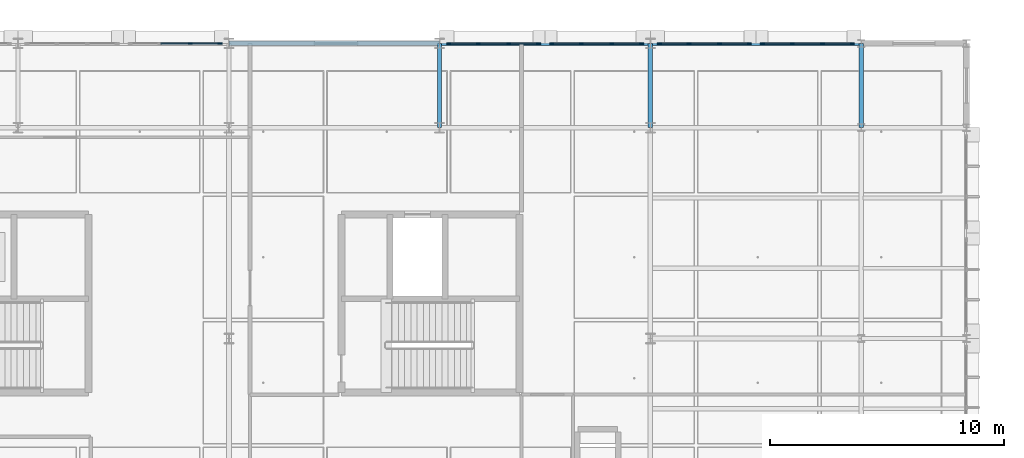
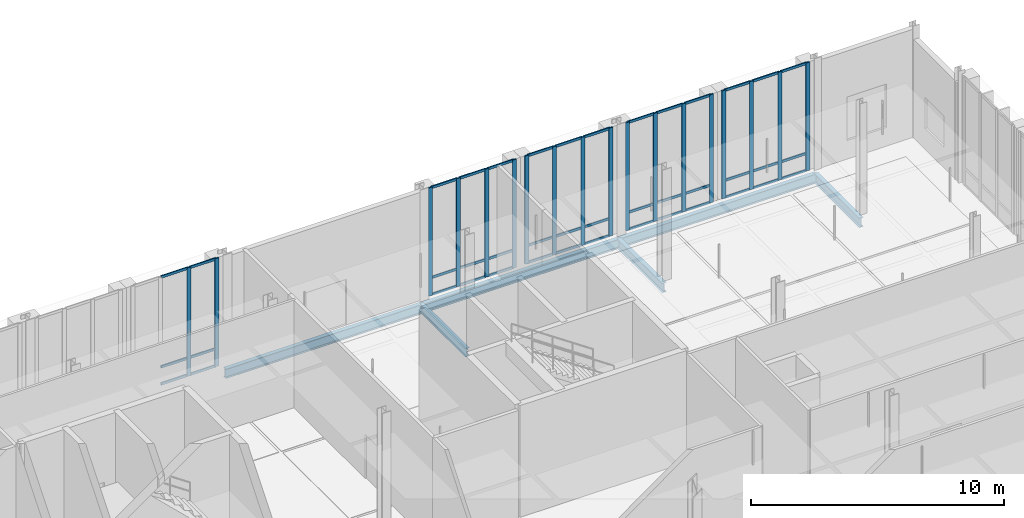
# One storey, part 68 of 180: 60 members, 6 beams, 5 elements without a shape of their own.
"""IFC4 building model written with IfcOpenShell, lengths in metres."""

from ifc_helpers import new_model, si_unit, direction, frame, origin, origin_2d, place, context, subcontext, project, spatial, rectangle, i_section, extrude, material, material_profile, profile_set, type_object, element, aggregate, save


model = new_model("IFC4")

# Units and contexts
model_context = context("Model", 3, precision=1e-05, world=origin(), true_north=direction((0.0, 1.0)))
body_context = subcontext(model_context, "Body", "Model", "MODEL_VIEW")
ifc_project = project(units=[si_unit("LENGTHUNIT", "METRE"), si_unit("AREAUNIT", "SQUARE_METRE"), si_unit("VOLUMEUNIT", "CUBIC_METRE"), si_unit("PLANEANGLEUNIT", "RADIAN"), si_unit("MASSUNIT", "GRAM", prefix="KILO"), si_unit("THERMODYNAMICTEMPERATUREUNIT", "KELVIN"), si_unit("POWERUNIT", "WATT")], contexts=[model_context])

# Site, building, storey
site_placement = place(None, origin())
site = spatial("IfcSite", under=ifc_project, at=site_placement, CompositionType="ELEMENT")
building_placement = place(site_placement, origin())
building = spatial("IfcBuilding", under=site, at=building_placement, Name="Tallowbark Science Centre", CompositionType="ELEMENT")
storey_placement = place(building_placement, origin())
storey = spatial("IfcBuildingStorey", under=building, at=storey_placement, Name="L00", CompositionType="ELEMENT", Elevation=0.0)

# Beam
ifc_material_1 = material(Name="Structural Steel Grade 300PLUS (300 MPa)", Category="steel")
ifc_material_profile_1 = material_profile(ifc_material_1, i_section(OverallWidth=0.177734375, OverallDepth=0.406494140625, WebThickness=0.0078125, FlangeThickness=0.0126953125, FilletRadius=0.011474609375, at=origin_2d()), Name="410UB59.7")
ifc_profile_set_1 = profile_set([ifc_material_profile_1], Name="Structural Steel Grade 300PLUS (300 MPa)")
beam_type_1 = type_object("IfcBeamType", Name="BM-UB410", PredefinedType="BEAM", material=ifc_profile_set_1)
beam_placement = place(storey_placement, frame((139.5, 108.0, -0.443115234375), z_axis=(0.0, 1.0, 0.0), x_axis=(-1.0, 0.0, 0.0)))
element("IfcBeam", 1, at=beam_placement, inside=storey, type_object=beam_type_1, Name="Primary Girder GRDY-L00-1395-1080-1116", PredefinedType="BEAM", context=body_context, shape_type="SweptSolid", body=[
    extrude(i_section(OverallWidth=0.177734375, OverallDepth=0.406494140625, WebThickness=0.0078125, FlangeThickness=0.0126953125, FilletRadius=0.011474609375, at=origin_2d()), origin(), (0.0, 0.0, 1.0), 3.60009765625),
])

# Curtain wall, members
ifc_material_2 = material(Name="Unitised Thermally Broken Aluminium and Low-E Double Glazing", Category="aluminium")
curtain_wall_type = type_object("IfcCurtainWallType", Name="CW-SYS-FACADE", PredefinedType="NOTDEFINED", material=ifc_material_2)
curtain_wall_1_placement = place(storey_placement, origin())
curtain_wall_1 = element("IfcCurtainWall", 2, at=curtain_wall_1_placement, inside=storey, type_object=curtain_wall_type, Name="Unitised Curtain Wall OBS-N-121A CW-L00-094", PredefinedType="NOTDEFINED")
ifc_material_3 = material(Name="Anodised Architectural Aluminium Alloy 6063-T6", Category="aluminium")
ifc_material_profile_2 = material_profile(ifc_material_3, rectangle(XDim=0.06494140625, YDim=0.179931640625, at=origin_2d()), Name="ALU65x180")
ifc_profile_set_2 = profile_set([ifc_material_profile_2], Name="Anodised Architectural Aluminium Alloy 6063-T6")
member_type_1 = type_object("IfcMemberType", Name="CWM-MUL-220", PredefinedType="MULLION", material=ifc_profile_set_2)
member_1_placement = place(storey_placement, frame((130.117431640625, 111.60009765625, 0.0), z_axis=(0.0, 0.0, 1.0), x_axis=(0.0, -1.0, 0.0)))
member_1 = element("IfcMember", 3, at=member_1_placement, type_object=member_type_1, Name="CW-01 mullion 1", PredefinedType="MULLION", context=body_context, shape_type="SweptSolid", body=[
    extrude(rectangle(XDim=0.06494140625, YDim=0.179931640625, at=origin_2d()), origin(), (0.0, 0.0, 1.0), 5.219970703125),
])
member_2_placement = place(storey_placement, frame((128.85009765625, 111.60009765625, 0.0), z_axis=(0.0, 0.0, 1.0), x_axis=(0.0, -1.0, 0.0)))
member_2 = element("IfcMember", 4, at=member_2_placement, type_object=member_type_1, Name="CW-01 mullion 2", PredefinedType="MULLION", context=body_context, shape_type="SweptSolid", body=[
    extrude(rectangle(XDim=0.06494140625, YDim=0.179931640625, at=origin_2d()), origin(), (0.0, 0.0, 1.0), 5.219970703125),
])

curtain_wall_2_placement = place(storey_placement, origin())
curtain_wall_2 = element("IfcCurtainWall", 5, at=curtain_wall_2_placement, inside=storey, type_object=curtain_wall_type, Name="Unitised Curtain Wall OBS-N-139A CW-L00-100", PredefinedType="NOTDEFINED")
member_3_placement = place(storey_placement, frame((148.117431640625, 111.60009765625, 0.0), z_axis=(0.0, 0.0, 1.0), x_axis=(0.0, -1.0, 0.0)))
member_3 = element("IfcMember", 6, at=member_3_placement, type_object=member_type_1, Name="CW-01 mullion 1", PredefinedType="MULLION", context=body_context, shape_type="SweptSolid", body=[
    extrude(rectangle(XDim=0.06494140625, YDim=0.179931640625, at=origin_2d()), origin(), (0.0, 0.0, 1.0), 5.219970703125),
])
member_4_placement = place(storey_placement, frame((146.85009765625, 111.60009765625, 0.0), z_axis=(0.0, 0.0, 1.0), x_axis=(0.0, -1.0, 0.0)))
member_4 = element("IfcMember", 7, at=member_4_placement, type_object=member_type_1, Name="CW-01 mullion 2", PredefinedType="MULLION", context=body_context, shape_type="SweptSolid", body=[
    extrude(rectangle(XDim=0.06494140625, YDim=0.179931640625, at=origin_2d()), origin(), (0.0, 0.0, 1.0), 5.219970703125),
])
member_5_placement = place(storey_placement, frame((145.550048828125, 111.60009765625, 0.0), z_axis=(0.0, 0.0, 1.0), x_axis=(0.0, -1.0, 0.0)))
member_5 = element("IfcMember", 8, at=member_5_placement, type_object=member_type_1, Name="CW-01 mullion 3", PredefinedType="MULLION", context=body_context, shape_type="SweptSolid", body=[
    extrude(rectangle(XDim=0.06494140625, YDim=0.179931640625, at=origin_2d()), origin(), (0.0, 0.0, 1.0), 5.219970703125),
])
member_6_placement = place(storey_placement, frame((144.282470703125, 111.60009765625, 0.0), z_axis=(0.0, 0.0, 1.0), x_axis=(0.0, -1.0, 0.0)))
member_6 = element("IfcMember", 9, at=member_6_placement, type_object=member_type_1, Name="CW-01 mullion 4", PredefinedType="MULLION", context=body_context, shape_type="SweptSolid", body=[
    extrude(rectangle(XDim=0.06494140625, YDim=0.179931640625, at=origin_2d()), origin(), (0.0, 0.0, 1.0), 5.219970703125),
])

curtain_wall_3_placement = place(storey_placement, origin())
curtain_wall_3 = element("IfcCurtainWall", 10, at=curtain_wall_3_placement, inside=storey, type_object=curtain_wall_type, Name="Unitised Curtain Wall OBS-N-139B CW-L00-101", PredefinedType="NOTDEFINED")
member_7_placement = place(storey_placement, frame((143.717529296875, 111.60009765625, 0.0), z_axis=(0.0, 0.0, 1.0), x_axis=(0.0, -1.0, 0.0)))
member_7 = element("IfcMember", 11, at=member_7_placement, type_object=member_type_1, Name="CW-01 mullion 1", PredefinedType="MULLION", context=body_context, shape_type="SweptSolid", body=[
    extrude(rectangle(XDim=0.06494140625, YDim=0.179931640625, at=origin_2d()), origin(), (0.0, 0.0, 1.0), 5.219970703125),
])
member_8_placement = place(storey_placement, frame((142.449951171875, 111.60009765625, 0.0), z_axis=(0.0, 0.0, 1.0), x_axis=(0.0, -1.0, 0.0)))
member_8 = element("IfcMember", 12, at=member_8_placement, type_object=member_type_1, Name="CW-01 mullion 2", PredefinedType="MULLION", context=body_context, shape_type="SweptSolid", body=[
    extrude(rectangle(XDim=0.06494140625, YDim=0.179931640625, at=origin_2d()), origin(), (0.0, 0.0, 1.0), 5.219970703125),
])
member_9_placement = place(storey_placement, frame((141.14990234375, 111.60009765625, 0.0), z_axis=(0.0, 0.0, 1.0), x_axis=(0.0, -1.0, 0.0)))
member_9 = element("IfcMember", 13, at=member_9_placement, type_object=member_type_1, Name="CW-01 mullion 3", PredefinedType="MULLION", context=body_context, shape_type="SweptSolid", body=[
    extrude(rectangle(XDim=0.06494140625, YDim=0.179931640625, at=origin_2d()), origin(), (0.0, 0.0, 1.0), 5.219970703125),
])
member_10_placement = place(storey_placement, frame((139.882568359375, 111.60009765625, 0.0), z_axis=(0.0, 0.0, 1.0), x_axis=(0.0, -1.0, 0.0)))
member_10 = element("IfcMember", 14, at=member_10_placement, type_object=member_type_1, Name="CW-01 mullion 4", PredefinedType="MULLION", context=body_context, shape_type="SweptSolid", body=[
    extrude(rectangle(XDim=0.06494140625, YDim=0.179931640625, at=origin_2d()), origin(), (0.0, 0.0, 1.0), 5.219970703125),
])

curtain_wall_4_placement = place(storey_placement, origin())
curtain_wall_4 = element("IfcCurtainWall", 15, at=curtain_wall_4_placement, inside=storey, type_object=curtain_wall_type, Name="Unitised Curtain Wall OBS-N-148A CW-L00-104", PredefinedType="NOTDEFINED")
member_11_placement = place(storey_placement, frame((157.117431640625, 111.60009765625, 0.0), z_axis=(0.0, 0.0, 1.0), x_axis=(0.0, -1.0, 0.0)))
member_11 = element("IfcMember", 16, at=member_11_placement, type_object=member_type_1, Name="CW-01 mullion 1", PredefinedType="MULLION", context=body_context, shape_type="SweptSolid", body=[
    extrude(rectangle(XDim=0.06494140625, YDim=0.179931640625, at=origin_2d()), origin(), (0.0, 0.0, 1.0), 5.219970703125),
])
member_12_placement = place(storey_placement, frame((155.85009765625, 111.60009765625, 0.0), z_axis=(0.0, 0.0, 1.0), x_axis=(0.0, -1.0, 0.0)))
member_12 = element("IfcMember", 17, at=member_12_placement, type_object=member_type_1, Name="CW-01 mullion 2", PredefinedType="MULLION", context=body_context, shape_type="SweptSolid", body=[
    extrude(rectangle(XDim=0.06494140625, YDim=0.179931640625, at=origin_2d()), origin(), (0.0, 0.0, 1.0), 5.219970703125),
])
member_13_placement = place(storey_placement, frame((154.550048828125, 111.60009765625, 0.0), z_axis=(0.0, 0.0, 1.0), x_axis=(0.0, -1.0, 0.0)))
member_13 = element("IfcMember", 18, at=member_13_placement, type_object=member_type_1, Name="CW-01 mullion 3", PredefinedType="MULLION", context=body_context, shape_type="SweptSolid", body=[
    extrude(rectangle(XDim=0.06494140625, YDim=0.179931640625, at=origin_2d()), origin(), (0.0, 0.0, 1.0), 5.219970703125),
])
member_14_placement = place(storey_placement, frame((153.282470703125, 111.60009765625, 0.0), z_axis=(0.0, 0.0, 1.0), x_axis=(0.0, -1.0, 0.0)))
member_14 = element("IfcMember", 19, at=member_14_placement, type_object=member_type_1, Name="CW-01 mullion 4", PredefinedType="MULLION", context=body_context, shape_type="SweptSolid", body=[
    extrude(rectangle(XDim=0.06494140625, YDim=0.179931640625, at=origin_2d()), origin(), (0.0, 0.0, 1.0), 5.219970703125),
])

curtain_wall_5_placement = place(storey_placement, origin())
curtain_wall_5 = element("IfcCurtainWall", 20, at=curtain_wall_5_placement, inside=storey, type_object=curtain_wall_type, Name="Unitised Curtain Wall OBS-N-148B CW-L00-105", PredefinedType="NOTDEFINED")
member_15_placement = place(storey_placement, frame((152.717529296875, 111.60009765625, 0.0), z_axis=(0.0, 0.0, 1.0), x_axis=(0.0, -1.0, 0.0)))
member_15 = element("IfcMember", 21, at=member_15_placement, type_object=member_type_1, Name="CW-01 mullion 1", PredefinedType="MULLION", context=body_context, shape_type="SweptSolid", body=[
    extrude(rectangle(XDim=0.06494140625, YDim=0.179931640625, at=origin_2d()), origin(), (0.0, 0.0, 1.0), 5.219970703125),
])
member_16_placement = place(storey_placement, frame((151.449951171875, 111.60009765625, 0.0), z_axis=(0.0, 0.0, 1.0), x_axis=(0.0, -1.0, 0.0)))
member_16 = element("IfcMember", 22, at=member_16_placement, type_object=member_type_1, Name="CW-01 mullion 2", PredefinedType="MULLION", context=body_context, shape_type="SweptSolid", body=[
    extrude(rectangle(XDim=0.06494140625, YDim=0.179931640625, at=origin_2d()), origin(), (0.0, 0.0, 1.0), 5.219970703125),
])
member_17_placement = place(storey_placement, frame((150.14990234375, 111.60009765625, 0.0), z_axis=(0.0, 0.0, 1.0), x_axis=(0.0, -1.0, 0.0)))
member_17 = element("IfcMember", 23, at=member_17_placement, type_object=member_type_1, Name="CW-01 mullion 3", PredefinedType="MULLION", context=body_context, shape_type="SweptSolid", body=[
    extrude(rectangle(XDim=0.06494140625, YDim=0.179931640625, at=origin_2d()), origin(), (0.0, 0.0, 1.0), 5.219970703125),
])
member_18_placement = place(storey_placement, frame((148.882568359375, 111.60009765625, 0.0), z_axis=(0.0, 0.0, 1.0), x_axis=(0.0, -1.0, 0.0)))
member_18 = element("IfcMember", 24, at=member_18_placement, type_object=member_type_1, Name="CW-01 mullion 4", PredefinedType="MULLION", context=body_context, shape_type="SweptSolid", body=[
    extrude(rectangle(XDim=0.06494140625, YDim=0.179931640625, at=origin_2d()), origin(), (0.0, 0.0, 1.0), 5.219970703125),
])

# Member
ifc_material_profile_3 = material_profile(ifc_material_3, rectangle(XDim=0.054931640625, YDim=0.1201171875, at=origin_2d()), Name="ALU55x120")
ifc_profile_set_3 = profile_set([ifc_material_profile_3], Name="Anodised Architectural Aluminium Alloy 6063-T6")
member_type_2 = type_object("IfcMemberType", Name="CWM-TRN-150", PredefinedType="USERDEFINED", material=ifc_profile_set_3)
member_19_placement = place(storey_placement, frame((130.0849609375, 111.60009765625, 0.027587890625), z_axis=(-1.0, 0.0, 0.0), x_axis=(0.0, -1.0, 0.0)))
member_19 = element("IfcMember", 25, at=member_19_placement, type_object=member_type_2, Name="CW-01 transom 1.1", ObjectType="TRANSOM", PredefinedType="USERDEFINED", context=body_context, shape_type="SweptSolid", body=[
    extrude(rectangle(XDim=0.054931640625, YDim=0.1201171875, at=origin_2d()), origin(), (0.0, 0.0, 1.0), 1.202392578125),
])

member_20_placement = place(storey_placement, frame((130.0849609375, 111.60009765625, 0.85009765625), z_axis=(-1.0, 0.0, 0.0), x_axis=(0.0, -1.0, 0.0)))
member_20 = element("IfcMember", 26, at=member_20_placement, type_object=member_type_2, Name="CW-01 transom 1.2", ObjectType="TRANSOM", PredefinedType="USERDEFINED", context=body_context, shape_type="SweptSolid", body=[
    extrude(rectangle(XDim=0.054931640625, YDim=0.1201171875, at=origin_2d()), origin(), (0.0, 0.0, 1.0), 1.202392578125),
])

member_21_placement = place(storey_placement, frame((130.0849609375, 111.60009765625, 5.1923828125), z_axis=(-1.0, 0.0, 0.0), x_axis=(0.0, -1.0, 0.0)))
member_21 = element("IfcMember", 27, at=member_21_placement, type_object=member_type_2, Name="CW-01 transom 1.3", ObjectType="TRANSOM", PredefinedType="USERDEFINED", context=body_context, shape_type="SweptSolid", body=[
    extrude(rectangle(XDim=0.054931640625, YDim=0.1201171875, at=origin_2d()), origin(), (0.0, 0.0, 1.0), 1.202392578125),
])

member_22_placement = place(storey_placement, frame((128.8173828125, 111.60009765625, 0.027587890625), z_axis=(-1.0, 0.0, 0.0), x_axis=(0.0, -1.0, 0.0)))
member_22 = element("IfcMember", 28, at=member_22_placement, type_object=member_type_2, Name="CW-01 transom 2.1", ObjectType="TRANSOM", PredefinedType="USERDEFINED", context=body_context, shape_type="SweptSolid", body=[
    extrude(rectangle(XDim=0.054931640625, YDim=0.1201171875, at=origin_2d()), origin(), (0.0, 0.0, 1.0), 1.23486328125),
])

member_23_placement = place(storey_placement, frame((128.8173828125, 111.60009765625, 0.85009765625), z_axis=(-1.0, 0.0, 0.0), x_axis=(0.0, -1.0, 0.0)))
member_23 = element("IfcMember", 29, at=member_23_placement, type_object=member_type_2, Name="CW-01 transom 2.2", ObjectType="TRANSOM", PredefinedType="USERDEFINED", context=body_context, shape_type="SweptSolid", body=[
    extrude(rectangle(XDim=0.054931640625, YDim=0.1201171875, at=origin_2d()), origin(), (0.0, 0.0, 1.0), 1.23486328125),
])

member_24_placement = place(storey_placement, frame((128.8173828125, 111.60009765625, 5.1923828125), z_axis=(-1.0, 0.0, 0.0), x_axis=(0.0, -1.0, 0.0)))
member_24 = element("IfcMember", 30, at=member_24_placement, type_object=member_type_2, Name="CW-01 transom 2.3", ObjectType="TRANSOM", PredefinedType="USERDEFINED", context=body_context, shape_type="SweptSolid", body=[
    extrude(rectangle(XDim=0.054931640625, YDim=0.1201171875, at=origin_2d()), origin(), (0.0, 0.0, 1.0), 1.23486328125),
])

aggregate(curtain_wall_1, [member_1, member_2, member_19, member_20, member_21, member_22, member_23, member_24])

member_25_placement = place(storey_placement, frame((148.0849609375, 111.60009765625, 0.027587890625), z_axis=(-1.0, 0.0, 0.0), x_axis=(0.0, -1.0, 0.0)))
member_25 = element("IfcMember", 31, at=member_25_placement, type_object=member_type_2, Name="CW-01 transom 1.1", ObjectType="TRANSOM", PredefinedType="USERDEFINED", context=body_context, shape_type="SweptSolid", body=[
    extrude(rectangle(XDim=0.054931640625, YDim=0.1201171875, at=origin_2d()), origin(), (0.0, 0.0, 1.0), 1.202392578125),
])

member_26_placement = place(storey_placement, frame((148.0849609375, 111.60009765625, 0.85009765625), z_axis=(-1.0, 0.0, 0.0), x_axis=(0.0, -1.0, 0.0)))
member_26 = element("IfcMember", 32, at=member_26_placement, type_object=member_type_2, Name="CW-01 transom 1.2", ObjectType="TRANSOM", PredefinedType="USERDEFINED", context=body_context, shape_type="SweptSolid", body=[
    extrude(rectangle(XDim=0.054931640625, YDim=0.1201171875, at=origin_2d()), origin(), (0.0, 0.0, 1.0), 1.202392578125),
])

member_27_placement = place(storey_placement, frame((148.0849609375, 111.60009765625, 5.1923828125), z_axis=(-1.0, 0.0, 0.0), x_axis=(0.0, -1.0, 0.0)))
member_27 = element("IfcMember", 33, at=member_27_placement, type_object=member_type_2, Name="CW-01 transom 1.3", ObjectType="TRANSOM", PredefinedType="USERDEFINED", context=body_context, shape_type="SweptSolid", body=[
    extrude(rectangle(XDim=0.054931640625, YDim=0.1201171875, at=origin_2d()), origin(), (0.0, 0.0, 1.0), 1.202392578125),
])

member_28_placement = place(storey_placement, frame((146.8173828125, 111.60009765625, 0.027587890625), z_axis=(-1.0, 0.0, 0.0), x_axis=(0.0, -1.0, 0.0)))
member_28 = element("IfcMember", 34, at=member_28_placement, type_object=member_type_2, Name="CW-01 transom 2.1", ObjectType="TRANSOM", PredefinedType="USERDEFINED", context=body_context, shape_type="SweptSolid", body=[
    extrude(rectangle(XDim=0.054931640625, YDim=0.1201171875, at=origin_2d()), origin(), (0.0, 0.0, 1.0), 1.23486328125),
])

member_29_placement = place(storey_placement, frame((146.8173828125, 111.60009765625, 0.85009765625), z_axis=(-1.0, 0.0, 0.0), x_axis=(0.0, -1.0, 0.0)))
member_29 = element("IfcMember", 35, at=member_29_placement, type_object=member_type_2, Name="CW-01 transom 2.2", ObjectType="TRANSOM", PredefinedType="USERDEFINED", context=body_context, shape_type="SweptSolid", body=[
    extrude(rectangle(XDim=0.054931640625, YDim=0.1201171875, at=origin_2d()), origin(), (0.0, 0.0, 1.0), 1.23486328125),
])

member_30_placement = place(storey_placement, frame((146.8173828125, 111.60009765625, 5.1923828125), z_axis=(-1.0, 0.0, 0.0), x_axis=(0.0, -1.0, 0.0)))
member_30 = element("IfcMember", 36, at=member_30_placement, type_object=member_type_2, Name="CW-01 transom 2.3", ObjectType="TRANSOM", PredefinedType="USERDEFINED", context=body_context, shape_type="SweptSolid", body=[
    extrude(rectangle(XDim=0.054931640625, YDim=0.1201171875, at=origin_2d()), origin(), (0.0, 0.0, 1.0), 1.23486328125),
])

member_31_placement = place(storey_placement, frame((145.517578125, 111.60009765625, 0.027587890625), z_axis=(-1.0, 0.0, 0.0), x_axis=(0.0, -1.0, 0.0)))
member_31 = element("IfcMember", 37, at=member_31_placement, type_object=member_type_2, Name="CW-01 transom 3.1", ObjectType="TRANSOM", PredefinedType="USERDEFINED", context=body_context, shape_type="SweptSolid", body=[
    extrude(rectangle(XDim=0.054931640625, YDim=0.1201171875, at=origin_2d()), origin(), (0.0, 0.0, 1.0), 1.20263671875),
])

member_32_placement = place(storey_placement, frame((145.517578125, 111.60009765625, 0.85009765625), z_axis=(-1.0, 0.0, 0.0), x_axis=(0.0, -1.0, 0.0)))
member_32 = element("IfcMember", 38, at=member_32_placement, type_object=member_type_2, Name="CW-01 transom 3.2", ObjectType="TRANSOM", PredefinedType="USERDEFINED", context=body_context, shape_type="SweptSolid", body=[
    extrude(rectangle(XDim=0.054931640625, YDim=0.1201171875, at=origin_2d()), origin(), (0.0, 0.0, 1.0), 1.20263671875),
])

member_33_placement = place(storey_placement, frame((145.517578125, 111.60009765625, 5.1923828125), z_axis=(-1.0, 0.0, 0.0), x_axis=(0.0, -1.0, 0.0)))
member_33 = element("IfcMember", 39, at=member_33_placement, type_object=member_type_2, Name="CW-01 transom 3.3", ObjectType="TRANSOM", PredefinedType="USERDEFINED", context=body_context, shape_type="SweptSolid", body=[
    extrude(rectangle(XDim=0.054931640625, YDim=0.1201171875, at=origin_2d()), origin(), (0.0, 0.0, 1.0), 1.20263671875),
])

aggregate(curtain_wall_2, [member_3, member_4, member_5, member_6, member_25, member_26, member_27, member_28, member_29, member_30, member_31, member_32, member_33])

member_34_placement = place(storey_placement, frame((143.68505859375, 111.60009765625, 0.027587890625), z_axis=(-1.0, 0.0, 0.0), x_axis=(0.0, -1.0, 0.0)))
member_34 = element("IfcMember", 40, at=member_34_placement, type_object=member_type_2, Name="CW-01 transom 1.1", ObjectType="TRANSOM", PredefinedType="USERDEFINED", context=body_context, shape_type="SweptSolid", body=[
    extrude(rectangle(XDim=0.054931640625, YDim=0.1201171875, at=origin_2d()), origin(), (0.0, 0.0, 1.0), 1.20263671875),
])

member_35_placement = place(storey_placement, frame((143.68505859375, 111.60009765625, 0.85009765625), z_axis=(-1.0, 0.0, 0.0), x_axis=(0.0, -1.0, 0.0)))
member_35 = element("IfcMember", 41, at=member_35_placement, type_object=member_type_2, Name="CW-01 transom 1.2", ObjectType="TRANSOM", PredefinedType="USERDEFINED", context=body_context, shape_type="SweptSolid", body=[
    extrude(rectangle(XDim=0.054931640625, YDim=0.1201171875, at=origin_2d()), origin(), (0.0, 0.0, 1.0), 1.20263671875),
])

member_36_placement = place(storey_placement, frame((143.68505859375, 111.60009765625, 5.1923828125), z_axis=(-1.0, 0.0, 0.0), x_axis=(0.0, -1.0, 0.0)))
member_36 = element("IfcMember", 42, at=member_36_placement, type_object=member_type_2, Name="CW-01 transom 1.3", ObjectType="TRANSOM", PredefinedType="USERDEFINED", context=body_context, shape_type="SweptSolid", body=[
    extrude(rectangle(XDim=0.054931640625, YDim=0.1201171875, at=origin_2d()), origin(), (0.0, 0.0, 1.0), 1.20263671875),
])

member_37_placement = place(storey_placement, frame((142.41748046875, 111.60009765625, 0.027587890625), z_axis=(-1.0, 0.0, 0.0), x_axis=(0.0, -1.0, 0.0)))
member_37 = element("IfcMember", 43, at=member_37_placement, type_object=member_type_2, Name="CW-01 transom 2.1", ObjectType="TRANSOM", PredefinedType="USERDEFINED", context=body_context, shape_type="SweptSolid", body=[
    extrude(rectangle(XDim=0.054931640625, YDim=0.1201171875, at=origin_2d()), origin(), (0.0, 0.0, 1.0), 1.23486328125),
])

member_38_placement = place(storey_placement, frame((142.41748046875, 111.60009765625, 0.85009765625), z_axis=(-1.0, 0.0, 0.0), x_axis=(0.0, -1.0, 0.0)))
member_38 = element("IfcMember", 44, at=member_38_placement, type_object=member_type_2, Name="CW-01 transom 2.2", ObjectType="TRANSOM", PredefinedType="USERDEFINED", context=body_context, shape_type="SweptSolid", body=[
    extrude(rectangle(XDim=0.054931640625, YDim=0.1201171875, at=origin_2d()), origin(), (0.0, 0.0, 1.0), 1.23486328125),
])

member_39_placement = place(storey_placement, frame((142.41748046875, 111.60009765625, 5.1923828125), z_axis=(-1.0, 0.0, 0.0), x_axis=(0.0, -1.0, 0.0)))
member_39 = element("IfcMember", 45, at=member_39_placement, type_object=member_type_2, Name="CW-01 transom 2.3", ObjectType="TRANSOM", PredefinedType="USERDEFINED", context=body_context, shape_type="SweptSolid", body=[
    extrude(rectangle(XDim=0.054931640625, YDim=0.1201171875, at=origin_2d()), origin(), (0.0, 0.0, 1.0), 1.23486328125),
])

member_40_placement = place(storey_placement, frame((141.117431640625, 111.60009765625, 0.027587890625), z_axis=(-1.0, 0.0, 0.0), x_axis=(0.0, -1.0, 0.0)))
member_40 = element("IfcMember", 46, at=member_40_placement, type_object=member_type_2, Name="CW-01 transom 3.1", ObjectType="TRANSOM", PredefinedType="USERDEFINED", context=body_context, shape_type="SweptSolid", body=[
    extrude(rectangle(XDim=0.054931640625, YDim=0.1201171875, at=origin_2d()), origin(), (0.0, 0.0, 1.0), 1.202392578125),
])

member_41_placement = place(storey_placement, frame((141.117431640625, 111.60009765625, 0.85009765625), z_axis=(-1.0, 0.0, 0.0), x_axis=(0.0, -1.0, 0.0)))
member_41 = element("IfcMember", 47, at=member_41_placement, type_object=member_type_2, Name="CW-01 transom 3.2", ObjectType="TRANSOM", PredefinedType="USERDEFINED", context=body_context, shape_type="SweptSolid", body=[
    extrude(rectangle(XDim=0.054931640625, YDim=0.1201171875, at=origin_2d()), origin(), (0.0, 0.0, 1.0), 1.202392578125),
])

member_42_placement = place(storey_placement, frame((141.117431640625, 111.60009765625, 5.1923828125), z_axis=(-1.0, 0.0, 0.0), x_axis=(0.0, -1.0, 0.0)))
member_42 = element("IfcMember", 48, at=member_42_placement, type_object=member_type_2, Name="CW-01 transom 3.3", ObjectType="TRANSOM", PredefinedType="USERDEFINED", context=body_context, shape_type="SweptSolid", body=[
    extrude(rectangle(XDim=0.054931640625, YDim=0.1201171875, at=origin_2d()), origin(), (0.0, 0.0, 1.0), 1.202392578125),
])

aggregate(curtain_wall_3, [member_7, member_8, member_9, member_10, member_34, member_35, member_36, member_37, member_38, member_39, member_40, member_41, member_42])

member_43_placement = place(storey_placement, frame((157.0849609375, 111.60009765625, 0.027587890625), z_axis=(-1.0, 0.0, 0.0), x_axis=(0.0, -1.0, 0.0)))
member_43 = element("IfcMember", 49, at=member_43_placement, type_object=member_type_2, Name="CW-01 transom 1.1", ObjectType="TRANSOM", PredefinedType="USERDEFINED", context=body_context, shape_type="SweptSolid", body=[
    extrude(rectangle(XDim=0.054931640625, YDim=0.1201171875, at=origin_2d()), origin(), (0.0, 0.0, 1.0), 1.202392578125),
])

member_44_placement = place(storey_placement, frame((157.0849609375, 111.60009765625, 0.85009765625), z_axis=(-1.0, 0.0, 0.0), x_axis=(0.0, -1.0, 0.0)))
member_44 = element("IfcMember", 50, at=member_44_placement, type_object=member_type_2, Name="CW-01 transom 1.2", ObjectType="TRANSOM", PredefinedType="USERDEFINED", context=body_context, shape_type="SweptSolid", body=[
    extrude(rectangle(XDim=0.054931640625, YDim=0.1201171875, at=origin_2d()), origin(), (0.0, 0.0, 1.0), 1.202392578125),
])

member_45_placement = place(storey_placement, frame((157.0849609375, 111.60009765625, 5.1923828125), z_axis=(-1.0, 0.0, 0.0), x_axis=(0.0, -1.0, 0.0)))
member_45 = element("IfcMember", 51, at=member_45_placement, type_object=member_type_2, Name="CW-01 transom 1.3", ObjectType="TRANSOM", PredefinedType="USERDEFINED", context=body_context, shape_type="SweptSolid", body=[
    extrude(rectangle(XDim=0.054931640625, YDim=0.1201171875, at=origin_2d()), origin(), (0.0, 0.0, 1.0), 1.202392578125),
])

member_46_placement = place(storey_placement, frame((155.8173828125, 111.60009765625, 0.027587890625), z_axis=(-1.0, 0.0, 0.0), x_axis=(0.0, -1.0, 0.0)))
member_46 = element("IfcMember", 52, at=member_46_placement, type_object=member_type_2, Name="CW-01 transom 2.1", ObjectType="TRANSOM", PredefinedType="USERDEFINED", context=body_context, shape_type="SweptSolid", body=[
    extrude(rectangle(XDim=0.054931640625, YDim=0.1201171875, at=origin_2d()), origin(), (0.0, 0.0, 1.0), 1.23486328125),
])

member_47_placement = place(storey_placement, frame((155.8173828125, 111.60009765625, 0.85009765625), z_axis=(-1.0, 0.0, 0.0), x_axis=(0.0, -1.0, 0.0)))
member_47 = element("IfcMember", 53, at=member_47_placement, type_object=member_type_2, Name="CW-01 transom 2.2", ObjectType="TRANSOM", PredefinedType="USERDEFINED", context=body_context, shape_type="SweptSolid", body=[
    extrude(rectangle(XDim=0.054931640625, YDim=0.1201171875, at=origin_2d()), origin(), (0.0, 0.0, 1.0), 1.23486328125),
])

member_48_placement = place(storey_placement, frame((155.8173828125, 111.60009765625, 5.1923828125), z_axis=(-1.0, 0.0, 0.0), x_axis=(0.0, -1.0, 0.0)))
member_48 = element("IfcMember", 54, at=member_48_placement, type_object=member_type_2, Name="CW-01 transom 2.3", ObjectType="TRANSOM", PredefinedType="USERDEFINED", context=body_context, shape_type="SweptSolid", body=[
    extrude(rectangle(XDim=0.054931640625, YDim=0.1201171875, at=origin_2d()), origin(), (0.0, 0.0, 1.0), 1.23486328125),
])

member_49_placement = place(storey_placement, frame((154.517578125, 111.60009765625, 0.027587890625), z_axis=(-1.0, 0.0, 0.0), x_axis=(0.0, -1.0, 0.0)))
member_49 = element("IfcMember", 55, at=member_49_placement, type_object=member_type_2, Name="CW-01 transom 3.1", ObjectType="TRANSOM", PredefinedType="USERDEFINED", context=body_context, shape_type="SweptSolid", body=[
    extrude(rectangle(XDim=0.054931640625, YDim=0.1201171875, at=origin_2d()), origin(), (0.0, 0.0, 1.0), 1.20263671875),
])

member_50_placement = place(storey_placement, frame((154.517578125, 111.60009765625, 0.85009765625), z_axis=(-1.0, 0.0, 0.0), x_axis=(0.0, -1.0, 0.0)))
member_50 = element("IfcMember", 56, at=member_50_placement, type_object=member_type_2, Name="CW-01 transom 3.2", ObjectType="TRANSOM", PredefinedType="USERDEFINED", context=body_context, shape_type="SweptSolid", body=[
    extrude(rectangle(XDim=0.054931640625, YDim=0.1201171875, at=origin_2d()), origin(), (0.0, 0.0, 1.0), 1.20263671875),
])

member_51_placement = place(storey_placement, frame((154.517578125, 111.60009765625, 5.1923828125), z_axis=(-1.0, 0.0, 0.0), x_axis=(0.0, -1.0, 0.0)))
member_51 = element("IfcMember", 57, at=member_51_placement, type_object=member_type_2, Name="CW-01 transom 3.3", ObjectType="TRANSOM", PredefinedType="USERDEFINED", context=body_context, shape_type="SweptSolid", body=[
    extrude(rectangle(XDim=0.054931640625, YDim=0.1201171875, at=origin_2d()), origin(), (0.0, 0.0, 1.0), 1.20263671875),
])

aggregate(curtain_wall_4, [member_11, member_12, member_13, member_14, member_43, member_44, member_45, member_46, member_47, member_48, member_49, member_50, member_51])

member_52_placement = place(storey_placement, frame((152.68505859375, 111.60009765625, 0.027587890625), z_axis=(-1.0, 0.0, 0.0), x_axis=(0.0, -1.0, 0.0)))
member_52 = element("IfcMember", 58, at=member_52_placement, type_object=member_type_2, Name="CW-01 transom 1.1", ObjectType="TRANSOM", PredefinedType="USERDEFINED", context=body_context, shape_type="SweptSolid", body=[
    extrude(rectangle(XDim=0.054931640625, YDim=0.1201171875, at=origin_2d()), origin(), (0.0, 0.0, 1.0), 1.20263671875),
])

member_53_placement = place(storey_placement, frame((152.68505859375, 111.60009765625, 0.85009765625), z_axis=(-1.0, 0.0, 0.0), x_axis=(0.0, -1.0, 0.0)))
member_53 = element("IfcMember", 59, at=member_53_placement, type_object=member_type_2, Name="CW-01 transom 1.2", ObjectType="TRANSOM", PredefinedType="USERDEFINED", context=body_context, shape_type="SweptSolid", body=[
    extrude(rectangle(XDim=0.054931640625, YDim=0.1201171875, at=origin_2d()), origin(), (0.0, 0.0, 1.0), 1.20263671875),
])

member_54_placement = place(storey_placement, frame((152.68505859375, 111.60009765625, 5.1923828125), z_axis=(-1.0, 0.0, 0.0), x_axis=(0.0, -1.0, 0.0)))
member_54 = element("IfcMember", 60, at=member_54_placement, type_object=member_type_2, Name="CW-01 transom 1.3", ObjectType="TRANSOM", PredefinedType="USERDEFINED", context=body_context, shape_type="SweptSolid", body=[
    extrude(rectangle(XDim=0.054931640625, YDim=0.1201171875, at=origin_2d()), origin(), (0.0, 0.0, 1.0), 1.20263671875),
])

member_55_placement = place(storey_placement, frame((151.41748046875, 111.60009765625, 0.027587890625), z_axis=(-1.0, 0.0, 0.0), x_axis=(0.0, -1.0, 0.0)))
member_55 = element("IfcMember", 61, at=member_55_placement, type_object=member_type_2, Name="CW-01 transom 2.1", ObjectType="TRANSOM", PredefinedType="USERDEFINED", context=body_context, shape_type="SweptSolid", body=[
    extrude(rectangle(XDim=0.054931640625, YDim=0.1201171875, at=origin_2d()), origin(), (0.0, 0.0, 1.0), 1.23486328125),
])

member_56_placement = place(storey_placement, frame((151.41748046875, 111.60009765625, 0.85009765625), z_axis=(-1.0, 0.0, 0.0), x_axis=(0.0, -1.0, 0.0)))
member_56 = element("IfcMember", 62, at=member_56_placement, type_object=member_type_2, Name="CW-01 transom 2.2", ObjectType="TRANSOM", PredefinedType="USERDEFINED", context=body_context, shape_type="SweptSolid", body=[
    extrude(rectangle(XDim=0.054931640625, YDim=0.1201171875, at=origin_2d()), origin(), (0.0, 0.0, 1.0), 1.23486328125),
])

member_57_placement = place(storey_placement, frame((151.41748046875, 111.60009765625, 5.1923828125), z_axis=(-1.0, 0.0, 0.0), x_axis=(0.0, -1.0, 0.0)))
member_57 = element("IfcMember", 63, at=member_57_placement, type_object=member_type_2, Name="CW-01 transom 2.3", ObjectType="TRANSOM", PredefinedType="USERDEFINED", context=body_context, shape_type="SweptSolid", body=[
    extrude(rectangle(XDim=0.054931640625, YDim=0.1201171875, at=origin_2d()), origin(), (0.0, 0.0, 1.0), 1.23486328125),
])

member_58_placement = place(storey_placement, frame((150.117431640625, 111.60009765625, 0.027587890625), z_axis=(-1.0, 0.0, 0.0), x_axis=(0.0, -1.0, 0.0)))
member_58 = element("IfcMember", 64, at=member_58_placement, type_object=member_type_2, Name="CW-01 transom 3.1", ObjectType="TRANSOM", PredefinedType="USERDEFINED", context=body_context, shape_type="SweptSolid", body=[
    extrude(rectangle(XDim=0.054931640625, YDim=0.1201171875, at=origin_2d()), origin(), (0.0, 0.0, 1.0), 1.202392578125),
])

member_59_placement = place(storey_placement, frame((150.117431640625, 111.60009765625, 0.85009765625), z_axis=(-1.0, 0.0, 0.0), x_axis=(0.0, -1.0, 0.0)))
member_59 = element("IfcMember", 65, at=member_59_placement, type_object=member_type_2, Name="CW-01 transom 3.2", ObjectType="TRANSOM", PredefinedType="USERDEFINED", context=body_context, shape_type="SweptSolid", body=[
    extrude(rectangle(XDim=0.054931640625, YDim=0.1201171875, at=origin_2d()), origin(), (0.0, 0.0, 1.0), 1.202392578125),
])

member_60_placement = place(storey_placement, frame((150.117431640625, 111.60009765625, 5.1923828125), z_axis=(-1.0, 0.0, 0.0), x_axis=(0.0, -1.0, 0.0)))
member_60 = element("IfcMember", 66, at=member_60_placement, type_object=member_type_2, Name="CW-01 transom 3.3", ObjectType="TRANSOM", PredefinedType="USERDEFINED", context=body_context, shape_type="SweptSolid", body=[
    extrude(rectangle(XDim=0.054931640625, YDim=0.1201171875, at=origin_2d()), origin(), (0.0, 0.0, 1.0), 1.202392578125),
])

aggregate(curtain_wall_5, [member_15, member_16, member_17, member_18, member_52, member_53, member_54, member_55, member_56, member_57, member_58, member_59, member_60])

# Beams
ifc_material_profile_4 = material_profile(ifc_material_1, i_section(OverallWidth=0.18994140625, OverallDepth=0.453857421875, WebThickness=0.008544921875, FlangeThickness=0.0126953125, FilletRadius=0.011474609375, at=origin_2d()), Name="460UB67.1")
ifc_profile_set_4 = profile_set([ifc_material_profile_4], Name="Structural Steel Grade 300PLUS (300 MPa)")
beam_type_2 = type_object("IfcBeamType", Name="SPN-UB460", PredefinedType="SPANDREL", material=ifc_profile_set_4)
for number, where, z_axis, x_axis, name in (
    (67, (130.5, 111.60009765625, -0.466796875), (1.0, 0.0, 0.0), (0.0, 1.0, 0.0), "Primary Girder GRDX-L00-1305-1395-1116"),
    (68, (139.5, 111.60009765625, -0.466796875), (1.0, 0.0, 0.0), (0.0, 1.0, 0.0), "Primary Girder GRDX-L00-1395-1485-1116"),
    (69, (148.5, 111.60009765625, -0.466796875), (1.0, 0.0, 0.0), (0.0, 1.0, 0.0), "Primary Girder GRDX-L00-1485-1575-1116"),
):
    element("IfcBeam", number, at=place(storey_placement, frame(where, z_axis=z_axis, x_axis=x_axis)), inside=storey, type_object=beam_type_2, Name=name, PredefinedType="SPANDREL", context=body_context, shape_type="SweptSolid", body=[
        extrude(i_section(OverallWidth=0.18994140625, OverallDepth=0.453857421875, WebThickness=0.008544921875, FlangeThickness=0.0126953125, FilletRadius=0.011474609375, at=origin_2d()), origin(), (0.0, 0.0, 1.0), 9.0),
    ])
for number, where, z_axis, x_axis, name in (
    (70, (148.5, 108.0, -0.466796875), (0.0, 1.0, 0.0), (-1.0, 0.0, 0.0), "Primary Girder GRDY-L00-1485-1080-1116"),
    (71, (157.5, 108.0, -0.466796875), (0.0, 1.0, 0.0), (-1.0, 0.0, 0.0), "Primary Girder GRDY-L00-1575-1080-1116"),
):
    element("IfcBeam", number, at=place(storey_placement, frame(where, z_axis=z_axis, x_axis=x_axis)), inside=storey, type_object=beam_type_2, Name=name, PredefinedType="SPANDREL", context=body_context, shape_type="SweptSolid", body=[
        extrude(i_section(OverallWidth=0.18994140625, OverallDepth=0.453857421875, WebThickness=0.008544921875, FlangeThickness=0.0126953125, FilletRadius=0.011474609375, at=origin_2d()), origin(), (0.0, 0.0, 1.0), 3.60009765625),
    ])

save(model, "model.ifc")
